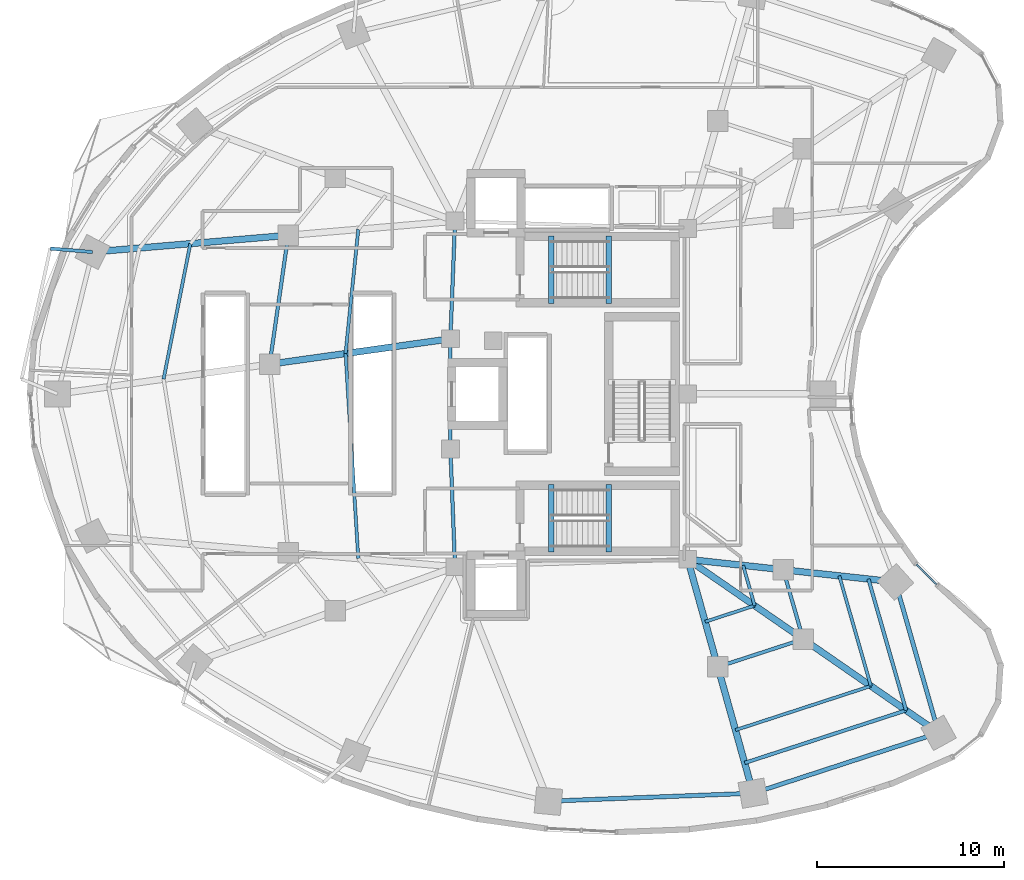
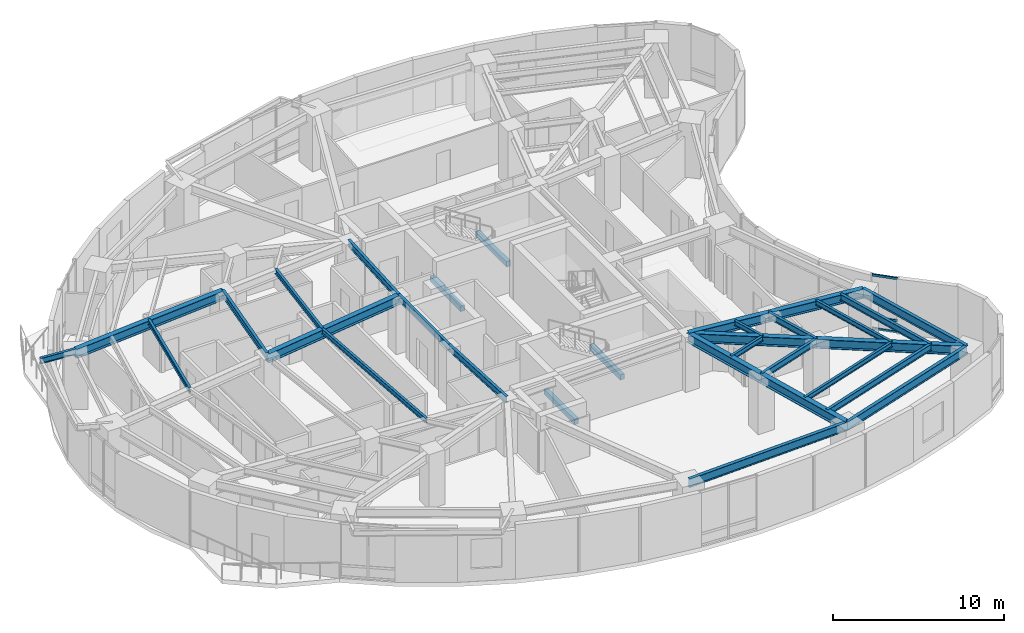
# One storey, part 3 of 15: 31 beams, 3 members, 1 element without a shape of its own.
"""IFC4 building model written with IfcOpenShell, lengths in metres."""

from ifc_helpers import new_model, si_unit, direction, frame, origin, origin_2d, place, context, subcontext, project, spatial, rectangle, i_section, extrude, material, layer, layer_set, material_profile, profile_set, type_object, element, aggregate, save


model = new_model("IFC4")

# Units and contexts
model_context = context("Model", 3, precision=1e-05, world=origin(), true_north=direction((0.0, 1.0)))
body_context = subcontext(model_context, "Body", "Model", "MODEL_VIEW")
ifc_project = project(units=[si_unit("LENGTHUNIT", "METRE"), si_unit("AREAUNIT", "SQUARE_METRE"), si_unit("VOLUMEUNIT", "CUBIC_METRE"), si_unit("PLANEANGLEUNIT", "RADIAN"), si_unit("MASSUNIT", "GRAM", prefix="KILO")], contexts=[model_context])

# Site, building, storey
site_placement = place(None, origin())
site = spatial("IfcSite", under=ifc_project, at=site_placement, CompositionType="ELEMENT")
building_placement = place(site_placement, origin())
building = spatial("IfcBuilding", under=site, at=building_placement, Name="Korentha Bioscience Tower", CompositionType="ELEMENT")
storey_placement = place(building_placement, frame((0.0, 0.0, 30.0)))
storey = spatial("IfcBuildingStorey", under=building, at=storey_placement, Name="L06", CompositionType="ELEMENT", Elevation=30.0)

# Beams
ifc_material_1 = material(Name="Concrete C50", Category="concrete")
ifc_material_profile_1 = material_profile(ifc_material_1, rectangle(XDim=0.280029296875, YDim=0.3798828125, at=origin_2d()), Name="Concrete C50")
ifc_profile_set_1 = profile_set([ifc_material_profile_1], Name="Concrete C50 (ST-HB380)")
beam_type_1 = type_object("IfcBeamType", Name="Concrete Stair Header Beam RC 280x380", PredefinedType="BEAM", material=ifc_profile_set_1)
for number, where, z_axis, x_axis, name in (
    (1, (30.25, 31.85009765625, -0.18994140625), (0.0, 1.0, 0.0), (-1.0, 0.0, 0.0), "L06 ST-1 Concrete Stair Header Beam"),
    (2, (33.330078125, 31.85009765625, 1.909912109375), (0.0, 1.0, 0.0), (-1.0, 0.0, 0.0), "L06 ST-1 Half-Landing Header Beam 1"),
    (3, (30.25, 18.550048828125, -0.18994140625), (0.0, 1.0, 0.0), (-1.0, 0.0, 0.0), "L06 ST-2 Concrete Stair Header Beam"),
    (4, (33.330078125, 18.550048828125, 1.909912109375), (0.0, 1.0, 0.0), (-1.0, 0.0, 0.0), "L06 ST-2 Half-Landing Header Beam 1"),
):
    element("IfcBeam", number, at=place(storey_placement, frame(where, z_axis=z_axis, x_axis=x_axis)), inside=storey, type_object=beam_type_1, Name=name, PredefinedType="BEAM", context=body_context, shape_type="SweptSolid", body=[
        extrude(rectangle(XDim=0.280029296875, YDim=0.3798828125, at=origin_2d()), origin(), (0.0, 0.0, 1.0), 3.599853515625),
    ])
ifc_material_2 = material(Name="Steel S355", Category="steel")
ifc_material_profile_2 = material_profile(ifc_material_2, i_section(OverallWidth=0.18994140625, OverallDepth=0.45703125, WebThickness=0.009033203125, FlangeThickness=0.014404296875, at=origin_2d()), Name="Steel S355")
ifc_profile_set_2 = profile_set([ifc_material_profile_2], Name="Steel S355 (MB-460)")
beam_type_2 = type_object("IfcBeamType", Name="Mid-Ring Tie Girder W460x74", PredefinedType="BEAM", material=ifc_profile_set_2)
beam_1_placement = place(storey_placement, frame((16.174072265625, 35.489013671875, 3.67138671875), z_axis=(-0.14286846228, -0.989741684727, 0.0), x_axis=(0.989741684727, -0.14286846228, 0.0)))
element("IfcBeam", 5, at=beam_1_placement, inside=storey, type_object=beam_type_2, Name="L06 Mid-Ring Tie Girder 06", PredefinedType="BEAM", context=body_context, shape_type="SweptSolid", body=[
    extrude(i_section(OverallWidth=0.18994140625, OverallDepth=0.45703125, WebThickness=0.009033203125, FlangeThickness=0.014404296875, at=origin_2d()), origin(), (0.0, 0.0, 1.0), 6.967041015625),
])
beam_2_placement = place(storey_placement, frame((39.1611328125, 12.392333984375, 3.67138671875), z_axis=(0.950877001105, 0.309568940253, 0.0), x_axis=(-0.309568940253, 0.950877001105, 0.0)))
element("IfcBeam", 6, at=beam_2_placement, inside=storey, type_object=beam_type_2, Name="L06 Mid-Ring Tie Girder 12", PredefinedType="BEAM", context=body_context, shape_type="SweptSolid", body=[
    extrude(i_section(OverallWidth=0.18994140625, OverallDepth=0.45703125, WebThickness=0.009033203125, FlangeThickness=0.014404296875, at=origin_2d()), origin(), (0.0, 0.0, 1.0), 4.80126953125),
])
beam_3_placement = place(storey_placement, frame((43.7265625, 13.878662109375, 3.67138671875), z_axis=(-0.27560557792, 0.961270807535, 0.0), x_axis=(-0.961270807535, -0.27560557792, 0.0)))
element("IfcBeam", 7, at=beam_3_placement, inside=storey, type_object=beam_type_2, Name="L06 Mid-Ring Tie Girder 13", PredefinedType="BEAM", context=body_context, shape_type="SweptSolid", body=[
    extrude(i_section(OverallWidth=0.18994140625, OverallDepth=0.45703125, WebThickness=0.009033203125, FlangeThickness=0.014404296875, at=origin_2d()), origin(), (0.0, 0.0, 1.0), 3.864013671875),
])
beam_4_placement = place(storey_placement, frame((25.10009765625, 36.25, 3.67138671875), z_axis=(-0.039651025576, -0.999213588864, 0.0), x_axis=(0.999213588864, -0.039651025576, 0.0)))
element("IfcBeam", 8, at=beam_4_placement, inside=storey, type_object=beam_type_2, Name="L06 Core Ring Tie Girder 02", PredefinedType="BEAM", context=body_context, shape_type="SweptSolid", body=[
    extrude(i_section(OverallWidth=0.18994140625, OverallDepth=0.45703125, WebThickness=0.009033203125, FlangeThickness=0.014404296875, at=origin_2d()), origin(), (0.0, 0.0, 1.0), 6.304931640625),
])
beam_5_placement = place(storey_placement, frame((24.85009765625, 29.949951171875, 3.67138671875), z_axis=(0.0, -1.0, 0.0), x_axis=(1.0, 0.0, 0.0)))
element("IfcBeam", 9, at=beam_5_placement, inside=storey, type_object=beam_type_2, Name="L06 Core Ring Tie Girder 03", PredefinedType="BEAM", context=body_context, shape_type="SweptSolid", body=[
    extrude(i_section(OverallWidth=0.18994140625, OverallDepth=0.45703125, WebThickness=0.009033203125, FlangeThickness=0.014404296875, at=origin_2d()), origin(), (0.0, 0.0, 1.0), 5.89990234375),
])
beam_6_placement = place(storey_placement, frame((24.85009765625, 24.050048828125, 3.67138671875), z_axis=(0.039651025576, -0.999213588864, 0.0), x_axis=(0.999213588864, 0.039651025576, 0.0)))
element("IfcBeam", 10, at=beam_6_placement, inside=storey, type_object=beam_type_2, Name="L06 Core Ring Tie Girder 04", PredefinedType="BEAM", context=body_context, shape_type="SweptSolid", body=[
    extrude(i_section(OverallWidth=0.18994140625, OverallDepth=0.45703125, WebThickness=0.009033203125, FlangeThickness=0.014404296875, at=origin_2d()), origin(), (0.0, 0.0, 1.0), 6.304931640625),
])
ifc_material_profile_3 = material_profile(ifc_material_2, i_section(OverallWidth=0.22802734375, OverallDepth=0.60791015625, WebThickness=0.01123046875, FlangeThickness=0.017333984375, at=origin_2d()), Name="Steel S355")
ifc_profile_set_3 = profile_set([ifc_material_profile_3], Name="Steel S355 (SB-610)")
beam_type_3 = type_object("IfcBeamType", Name="Perimeter Ring Spandrel Girder W610x113", PredefinedType="SPANDREL", material=ifc_profile_set_3)
beam_7_placement = place(storey_placement, frame((30.09423828125, 5.20751953125, 3.595947265625), z_axis=(0.999246003889, 0.03882555488, 0.0), x_axis=(-0.03882555488, 0.999246003889, 0.0)))
element("IfcBeam", 11, at=beam_7_placement, inside=storey, type_object=beam_type_3, Name="L06 Perimeter Spandrel Girder 11", PredefinedType="SPANDREL", context=body_context, shape_type="SweptSolid", body=[
    extrude(i_section(OverallWidth=0.22802734375, OverallDepth=0.60791015625, WebThickness=0.01123046875, FlangeThickness=0.017333984375, at=origin_2d()), origin(), (0.0, 0.0, 1.0), 10.966552734375),
])
beam_8_placement = place(storey_placement, frame((41.052490234375, 5.63330078125, 3.595947265625), z_axis=(0.95087511444, 0.309574735305, 0.0), x_axis=(-0.309574735305, 0.95087511444, 0.0)))
element("IfcBeam", 12, at=beam_8_placement, inside=storey, type_object=beam_type_3, Name="L06 Perimeter Spandrel Girder 12", PredefinedType="SPANDREL", context=body_context, shape_type="SweptSolid", body=[
    extrude(i_section(OverallWidth=0.22802734375, OverallDepth=0.60791015625, WebThickness=0.01123046875, FlangeThickness=0.017333984375, at=origin_2d()), origin(), (0.0, 0.0, 1.0), 10.4375),
])
beam_9_placement = place(storey_placement, frame((50.977294921875, 8.864501953125, 3.595947265625), z_axis=(-0.275642273411, 0.961260285827, 0.0), x_axis=(-0.961260285827, -0.275642273411, 0.0)))
element("IfcBeam", 13, at=beam_9_placement, inside=storey, type_object=beam_type_3, Name="L06 Perimeter Spandrel Girder 13", PredefinedType="SPANDREL", context=body_context, shape_type="SweptSolid", body=[
    extrude(i_section(OverallWidth=0.22802734375, OverallDepth=0.60791015625, WebThickness=0.01123046875, FlangeThickness=0.017333984375, at=origin_2d()), origin(), (0.0, 0.0, 1.0), 8.400146484375),
])
ifc_material_profile_4 = material_profile(ifc_material_2, i_section(OverallWidth=0.18994140625, OverallDepth=0.45703125, WebThickness=0.009033203125, FlangeThickness=0.014404296875, at=origin_2d()), Name="Steel S355")
ifc_profile_set_4 = profile_set([ifc_material_profile_4], Name="Steel S355 (RB-460)")
beam_type_4 = type_object("IfcBeamType", Name="Radial Laboratory Beam W460x74", PredefinedType="BEAM", material=ifc_profile_set_4)
beam_10_placement = place(storey_placement, frame((40.5986328125, 7.255615234375, 3.67138671875), z_axis=(0.95087437499, 0.309577006554, 0.0), x_axis=(-0.309577006554, 0.95087437499, 0.0)))
element("IfcBeam", 14, at=beam_10_placement, inside=storey, type_object=beam_type_4, Name="L06 Secondary Floor Beam JSTO-12", PredefinedType="BEAM", context=body_context, shape_type="SweptSolid", body=[
    extrude(i_section(OverallWidth=0.18994140625, OverallDepth=0.45703125, WebThickness=0.009033203125, FlangeThickness=0.014404296875, at=origin_2d()), origin(), (0.0, 0.0, 1.0), 9.0849609375),
])
beam_11_placement = place(storey_placement, frame((49.2373046875, 10.068115234375, 3.67138671875), z_axis=(-0.275682421415, 0.961248772443, 0.0), x_axis=(-0.961248772443, -0.275682421415, 0.0)))
element("IfcBeam", 15, at=beam_11_placement, inside=storey, type_object=beam_type_4, Name="L06 Secondary Floor Beam JSTO-13", PredefinedType="BEAM", context=body_context, shape_type="SweptSolid", body=[
    extrude(i_section(OverallWidth=0.18994140625, OverallDepth=0.45703125, WebThickness=0.009033203125, FlangeThickness=0.014404296875, at=origin_2d()), origin(), (0.0, 0.0, 1.0), 7.3115234375),
])
ifc_material_profile_5 = material_profile(ifc_material_2, i_section(OverallWidth=0.35009765625, OverallDepth=0.64990234375, WebThickness=0.01611328125, FlangeThickness=0.02490234375, at=origin_2d()), Name="Steel S355")
ifc_profile_set_5 = profile_set([ifc_material_profile_5], Name="Steel S355 (RB-650)")
beam_type_5 = type_object("IfcBeamType", Name="Radial Laboratory Girder CVS 650x208", PredefinedType="BEAM", material=ifc_profile_set_5)
beam_12_placement = place(storey_placement, frame((16.174072265625, 35.489013671875, 3.574951171875), z_axis=(-0.996385601055, -0.084945476695, 0.0), x_axis=(0.084945476695, -0.996385601055, 0.0)))
element("IfcBeam", 16, at=beam_12_placement, inside=storey, type_object=beam_type_5, Name="L06 Outer Radial Girder 06", PredefinedType="BEAM", context=body_context, shape_type="SweptSolid", body=[
    extrude(i_section(OverallWidth=0.35009765625, OverallDepth=0.64990234375, WebThickness=0.01611328125, FlangeThickness=0.02490234375, at=origin_2d()), origin(), (0.0, 0.0, 1.0), 10.516357421875),
])
beam_13_placement = place(storey_placement, frame((24.85009765625, 29.949951171875, 3.574951171875), z_axis=(-0.990307253072, -0.138894004596, 0.0), x_axis=(0.138894004596, -0.990307253072, 0.0)))
element("IfcBeam", 17, at=beam_13_placement, inside=storey, type_object=beam_type_5, Name="L06 Inner Radial Girder 07", PredefinedType="BEAM", context=body_context, shape_type="SweptSolid", body=[
    extrude(i_section(OverallWidth=0.35009765625, OverallDepth=0.64990234375, WebThickness=0.01611328125, FlangeThickness=0.02490234375, at=origin_2d()), origin(), (0.0, 0.0, 1.0), 9.76611328125),
])
beam_14_placement = place(storey_placement, frame((37.550048828125, 18.14990234375, 3.574951171875), z_axis=(0.269469369205, -0.963008961049, 0.0), x_axis=(0.963008961049, 0.269469369205, 0.0)))
element("IfcBeam", 18, at=beam_14_placement, inside=storey, type_object=beam_type_5, Name="L06 Inner Radial Girder 12", PredefinedType="BEAM", context=body_context, shape_type="SweptSolid", body=[
    extrude(i_section(OverallWidth=0.35009765625, OverallDepth=0.64990234375, WebThickness=0.01611328125, FlangeThickness=0.02490234375, at=origin_2d()), origin(), (0.0, 0.0, 1.0), 5.978759765625),
])
beam_15_placement = place(storey_placement, frame((39.1611328125, 12.392333984375, 3.574951171875), z_axis=(0.269475095129, -0.963007358801, 0.0), x_axis=(0.963007358801, 0.269475095129, 0.0)))
element("IfcBeam", 19, at=beam_15_placement, inside=storey, type_object=beam_type_5, Name="L06 Outer Radial Girder 12", PredefinedType="BEAM", context=body_context, shape_type="SweptSolid", body=[
    extrude(i_section(OverallWidth=0.35009765625, OverallDepth=0.64990234375, WebThickness=0.01611328125, FlangeThickness=0.02490234375, at=origin_2d()), origin(), (0.0, 0.0, 1.0), 7.0185546875),
])
beam_16_placement = place(storey_placement, frame((37.550048828125, 18.14990234375, 3.574951171875), z_axis=(0.822491697625, -0.568777115694, 0.0), x_axis=(0.568777115694, 0.822491697625, 0.0)))
element("IfcBeam", 20, at=beam_16_placement, inside=storey, type_object=beam_type_5, Name="L06 Inner Radial Girder 13", PredefinedType="BEAM", context=body_context, shape_type="SweptSolid", body=[
    extrude(i_section(OverallWidth=0.35009765625, OverallDepth=0.64990234375, WebThickness=0.01611328125, FlangeThickness=0.02490234375, at=origin_2d()), origin(), (0.0, 0.0, 1.0), 7.509521484375),
])
beam_17_placement = place(storey_placement, frame((43.7265625, 13.878662109375, 3.574951171875), z_axis=(0.822488186113, -0.568782193555, 0.0), x_axis=(0.568782193555, 0.822488186113, 0.0)))
element("IfcBeam", 21, at=beam_17_placement, inside=storey, type_object=beam_type_5, Name="L06 Outer Radial Girder 13", PredefinedType="BEAM", context=body_context, shape_type="SweptSolid", body=[
    extrude(i_section(OverallWidth=0.35009765625, OverallDepth=0.64990234375, WebThickness=0.01611328125, FlangeThickness=0.02490234375, at=origin_2d()), origin(), (0.0, 0.0, 1.0), 8.815673828125),
])
beam_18_placement = place(storey_placement, frame((37.550048828125, 18.14990234375, 3.574951171875), z_axis=(0.994117709144, -0.10830503389, 0.0), x_axis=(0.10830503389, 0.994117709144, 0.0)))
element("IfcBeam", 22, at=beam_18_placement, inside=storey, type_object=beam_type_5, Name="L06 Inner Radial Girder 14", PredefinedType="BEAM", context=body_context, shape_type="SweptSolid", body=[
    extrude(i_section(OverallWidth=0.35009765625, OverallDepth=0.64990234375, WebThickness=0.01611328125, FlangeThickness=0.02490234375, at=origin_2d()), origin(), (0.0, 0.0, 1.0), 5.141845703125),
])
beam_19_placement = place(storey_placement, frame((42.66162109375, 17.593017578125, 3.574951171875), z_axis=(0.994115805925, -0.108322501862, 0.0), x_axis=(0.108322501862, 0.994115805925, 0.0)))
element("IfcBeam", 23, at=beam_19_placement, inside=storey, type_object=beam_type_5, Name="L06 Outer Radial Girder 14", PredefinedType="BEAM", context=body_context, shape_type="SweptSolid", body=[
    extrude(i_section(OverallWidth=0.35009765625, OverallDepth=0.64990234375, WebThickness=0.01611328125, FlangeThickness=0.02490234375, at=origin_2d()), origin(), (0.0, 0.0, 1.0), 6.03564453125),
])
ifc_material_profile_6 = material_profile(ifc_material_2, i_section(OverallWidth=0.1708984375, OverallDepth=0.35498046875, WebThickness=0.007080078125, FlangeThickness=0.01171875, at=origin_2d()), Name="Steel S355")
ifc_profile_set_6 = profile_set([ifc_material_profile_6], Name="Steel S355 (JB-360)")
beam_type_6 = type_object("IfcBeamType", Name="Secondary Laboratory Joist W360x51", PredefinedType="JOIST", material=ifc_profile_set_6)
beam_20_placement = place(storey_placement, frame((10.934814453125, 35.042236328125, 3.722412109375), z_axis=(-0.193979665978, -0.981005550029, 0.0), x_axis=(0.981005550029, -0.193979665978, 0.0)))
element("IfcBeam", 24, at=beam_20_placement, inside=storey, type_object=beam_type_6, Name="L06 Secondary Floor Beam JST-06", PredefinedType="JOIST", context=body_context, shape_type="SweptSolid", body=[
    extrude(i_section(OverallWidth=0.1708984375, OverallDepth=0.35498046875, WebThickness=0.007080078125, FlangeThickness=0.01171875, at=origin_2d()), origin(), (0.0, 0.0, 1.0), 7.385498046875),
])
beam_21_placement = place(storey_placement, frame((19.9228515625, 35.80859375, 3.722412109375), z_axis=(-0.102144778597, -0.994769543264, 0.0), x_axis=(0.994769543264, -0.102144778597, 0.0)))
element("IfcBeam", 25, at=beam_21_placement, inside=storey, type_object=beam_type_6, Name="L06 Inner Bay Joist 06", PredefinedType="JOIST", context=body_context, shape_type="SweptSolid", body=[
    extrude(i_section(OverallWidth=0.1708984375, OverallDepth=0.35498046875, WebThickness=0.007080078125, FlangeThickness=0.01171875, at=origin_2d()), origin(), (0.0, 0.0, 1.0), 6.680419921875),
])
beam_22_placement = place(storey_placement, frame((19.240478515625, 29.1630859375, 3.722412109375), z_axis=(0.062074098012, -0.998071543706, 0.0), x_axis=(0.998071543706, 0.062074098012, 0.0)))
element("IfcBeam", 26, at=beam_22_placement, inside=storey, type_object=beam_type_6, Name="L06 Inner Bay Joist 07", PredefinedType="JOIST", context=body_context, shape_type="SweptSolid", body=[
    extrude(i_section(OverallWidth=0.1708984375, OverallDepth=0.35498046875, WebThickness=0.007080078125, FlangeThickness=0.01171875, at=origin_2d()), origin(), (0.0, 0.0, 1.0), 10.992919921875),
])
beam_23_placement = place(storey_placement, frame((40.10693359375, 9.0126953125, 3.722412109375), z_axis=(0.950870992772, 0.309587394938, 0.0), x_axis=(-0.309587394938, 0.950870992772, 0.0)))
element("IfcBeam", 27, at=beam_23_placement, inside=storey, type_object=beam_type_6, Name="L06 Secondary Floor Beam JST-12", PredefinedType="JOIST", context=body_context, shape_type="SweptSolid", body=[
    extrude(i_section(OverallWidth=0.1708984375, OverallDepth=0.35498046875, WebThickness=0.007080078125, FlangeThickness=0.01171875, at=origin_2d()), origin(), (0.0, 0.0, 1.0), 7.619384765625),
])
beam_24_placement = place(storey_placement, frame((38.484619140625, 14.810546875, 3.722412109375), z_axis=(0.950869630746, 0.309591578254, 0.0), x_axis=(-0.309591578254, 0.950869630746, 0.0)))
element("IfcBeam", 28, at=beam_24_placement, inside=storey, type_object=beam_type_6, Name="L06 Inner Bay Joist 12", PredefinedType="JOIST", context=body_context, shape_type="SweptSolid", body=[
    extrude(i_section(OverallWidth=0.1708984375, OverallDepth=0.35498046875, WebThickness=0.007080078125, FlangeThickness=0.01171875, at=origin_2d()), origin(), (0.0, 0.0, 1.0), 2.784423828125),
])
beam_25_placement = place(storey_placement, frame((47.35205078125, 11.37158203125, 3.722412109375), z_axis=(-0.275667500387, 0.96125305161, 0.0), x_axis=(-0.96125305161, -0.275667500387, 0.0)))
element("IfcBeam", 29, at=beam_25_placement, inside=storey, type_object=beam_type_6, Name="L06 Secondary Floor Beam JST-13", PredefinedType="JOIST", context=body_context, shape_type="SweptSolid", body=[
    extrude(i_section(OverallWidth=0.1708984375, OverallDepth=0.35498046875, WebThickness=0.007080078125, FlangeThickness=0.01171875, at=origin_2d()), origin(), (0.0, 0.0, 1.0), 6.132080078125),
])
beam_26_placement = place(storey_placement, frame((41.13232421875, 15.672607421875, 3.722412109375), z_axis=(-0.275613067773, 0.961268660091, 0.0), x_axis=(-0.961268660091, -0.275613067773, 0.0)))
element("IfcBeam", 30, at=beam_26_placement, inside=storey, type_object=beam_type_6, Name="L06 Inner Bay Joist 13", PredefinedType="JOIST", context=body_context, shape_type="SweptSolid", body=[
    extrude(i_section(OverallWidth=0.1708984375, OverallDepth=0.35498046875, WebThickness=0.007080078125, FlangeThickness=0.01171875, at=origin_2d()), origin(), (0.0, 0.0, 1.0), 2.2412109375),
])
ifc_material_profile_7 = material_profile(ifc_material_2, i_section(OverallWidth=0.177978515625, OverallDepth=0.406982421875, WebThickness=0.0078125, FlangeThickness=0.0126953125, at=origin_2d()), Name="Steel S355")
ifc_profile_set_7 = profile_set([ifc_material_profile_7], Name="Steel S355 (CB-410)")
beam_type_7 = type_object("IfcBeamType", Name="Sun-Ledge Cantilever Beam W410x60", PredefinedType="BEAM", material=ifc_profile_set_7)
beam_27_placement = place(storey_placement, frame((5.69580078125, 34.595703125, 3.698486328125), z_axis=(-0.996665296281, 0.08159832835, 0.0), x_axis=(-0.08159832835, -0.996665296281, 0.0)))
element("IfcBeam", 31, at=beam_27_placement, inside=storey, type_object=beam_type_7, Name="L06 Balcony Cantilever Bracket A-L07-02", PredefinedType="BEAM", context=body_context, shape_type="SweptSolid", body=[
    extrude(i_section(OverallWidth=0.177978515625, OverallDepth=0.406982421875, WebThickness=0.0078125, FlangeThickness=0.0126953125, at=origin_2d()), origin(), (0.0, 0.0, 1.0), 2.261962890625),
])

# Curtain wall, members
ifc_material_3 = material(Name="Thermally Broken Aluminium Frame", Category="aluminium")
ifc_layer = layer(ifc_material_3, 0.219970703125, Name="Thermally Broken Aluminium Frame")
ifc_layer_set = layer_set([ifc_layer], Name="Thermally Broken Aluminium Frame (CW-T1)")
curtain_wall_type = type_object("IfcCurtainWallType", Name="Standard Bioscience Lab Unitised Curtain Wall CW-T1", PredefinedType="USERDEFINED", material=ifc_layer_set)
curtain_wall_placement = place(storey_placement, origin())
curtain_wall = element("IfcCurtainWall", 32, at=curtain_wall_placement, inside=storey, type_object=curtain_wall_type, Name="L06 Curtain Wall 43", ObjectType="UNITISED", PredefinedType="USERDEFINED")
ifc_material_4 = material(Name="Anodised Aluminium 6063-T6", Category="aluminium")
ifc_material_profile_8 = material_profile(ifc_material_4, rectangle(XDim=0.090087890625, YDim=0.159912109375, at=origin_2d()), Name="Anodised Aluminium 6063-T6")
ifc_profile_set_8 = profile_set([ifc_material_profile_8], Name="Anodised Aluminium 6063-T6 (CW-TRN)")
member_type = type_object("IfcMemberType", Name="Transom RECT 90x160", PredefinedType="USERDEFINED", material=ifc_profile_set_8)
member_1_placement = place(storey_placement, frame((50.8818359375, 16.796875, 0.044921875), z_axis=(-0.713350356322, 0.700807583531, 0.0), x_axis=(-0.700807583531, -0.713350356322, 0.0)))
member_1 = element("IfcMember", 33, at=member_1_placement, type_object=member_type, Name="CW-L06-43 Bay 1 Transom 1", ObjectType="TRANSOM", PredefinedType="USERDEFINED", context=body_context, shape_type="SweptSolid", body=[
    extrude(rectangle(XDim=0.090087890625, YDim=0.159912109375, at=origin_2d()), origin(), (0.0, 0.0, 1.0), 1.53759765625),
])
member_2_placement = place(storey_placement, frame((50.8818359375, 16.796875, 0.85009765625), z_axis=(-0.713350356322, 0.700807583531, 0.0), x_axis=(-0.700807583531, -0.713350356322, 0.0)))
member_2 = element("IfcMember", 34, at=member_2_placement, type_object=member_type, Name="CW-L06-43 Bay 1 Transom 2", ObjectType="TRANSOM", PredefinedType="USERDEFINED", context=body_context, shape_type="SweptSolid", body=[
    extrude(rectangle(XDim=0.090087890625, YDim=0.159912109375, at=origin_2d()), origin(), (0.0, 0.0, 1.0), 1.53759765625),
])
member_3_placement = place(storey_placement, frame((50.8818359375, 16.796875, 3.85498046875), z_axis=(-0.713350356322, 0.700807583531, 0.0), x_axis=(-0.700807583531, -0.713350356322, 0.0)))
member_3 = element("IfcMember", 35, at=member_3_placement, type_object=member_type, Name="CW-L06-43 Bay 1 Transom 3", ObjectType="TRANSOM", PredefinedType="USERDEFINED", context=body_context, shape_type="SweptSolid", body=[
    extrude(rectangle(XDim=0.090087890625, YDim=0.159912109375, at=origin_2d()), origin(), (0.0, 0.0, 1.0), 1.53759765625),
])
aggregate(curtain_wall, [member_1, member_2, member_3])

save(model, "model.ifc")
